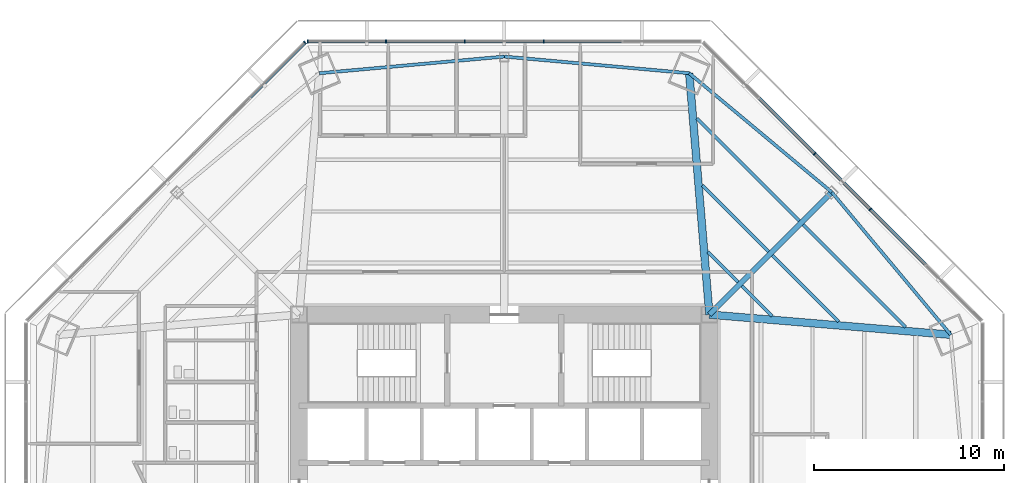
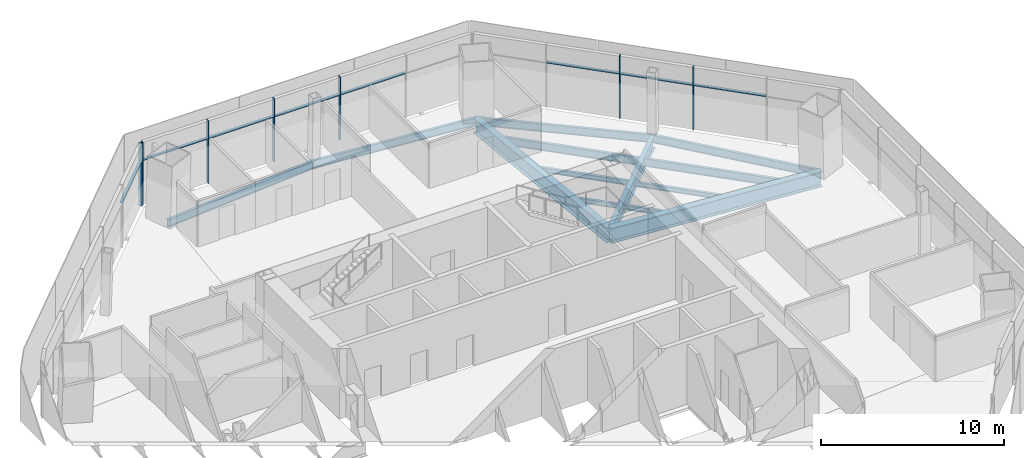
# One storey, part 6 of 16: 15 members, 13 beams, 3 elements without a shape of their own.
"""IFC4 building model written with IfcOpenShell, lengths in metres."""

import ifcopenshell
import ifcopenshell.guid

model = None  # the IFC model being written
_history = None  # IfcOwnerHistory: only IFC2X3 demands one
_inside = {}  # id of a spatial element -> (the spatial element, [elements in it])
_under = {}  # id of a project, library or spatial element -> (it, [spatial elements below it])
_declared = {}  # id of a project -> (the project, [libraries it declares])
_typed = {}  # id of a type object -> (the type object, [elements of that type])
_made_of = {}  # id of a material, layer set ... -> (it, [elements and type objects made of it])


def new_model(schema):
    """Start an empty IFC model of exactly this schema.

    Asked for "IFC4X3", IfcOpenShell would pick the latest addendum, in which some entities
    have other attributes; the version numbers below select the first issue.
    IFC2X3 requires an IfcOwnerHistory on every rooted entity: one is made here for all.
    """
    global model, _history
    if schema == "IFC4X3":
        model = ifcopenshell.file(schema_version=(4, 3, 0, 0))
    else:
        model = ifcopenshell.file(schema=schema)
    _inside.clear()
    _under.clear()
    _declared.clear()
    _typed.clear()
    _made_of.clear()
    _history = None
    if model.schema == "IFC2X3":
        org = make("IfcOrganization", Name="unknown")
        user = make(
            "IfcPersonAndOrganization",
            ThePerson=make("IfcPerson", FamilyName="unknown"),
            TheOrganization=org,
        )
        app = make(
            "IfcApplication",
            ApplicationDeveloper=org,
            Version="unknown",
            ApplicationFullName="unknown",
            ApplicationIdentifier="unknown",
        )
        _history = make(
            "IfcOwnerHistory",
            OwningUser=user,
            OwningApplication=app,
            ChangeAction="ADDED",
            CreationDate=0,
        )
    return model


def make(cls, **values):
    """One entity of the class cls with the attributes given. An attribute that is None is left unset."""
    return model.create_entity(
        cls, **{name: value for name, value in values.items() if value is not None}
    )


def rooted(cls, **values):
    """An entity with a GlobalId (a new one), such as an element, a storey or a relation."""
    return make(cls, GlobalId=ifcopenshell.guid.new(), OwnerHistory=_history, **values)


def si_unit(unit_type, name, prefix=None):
    """IfcSIUnit, for example si_unit("LENGTHUNIT", "METRE", prefix="MILLI")."""
    return make("IfcSIUnit", UnitType=unit_type, Prefix=prefix, Name=name)


def assignment(units):
    """IfcUnitAssignment: the units of a project."""
    return None if units is None else make("IfcUnitAssignment", Units=units)


def point(xyz):
    """IfcCartesianPoint."""
    return None if xyz is None else make("IfcCartesianPoint", Coordinates=xyz)


def direction(xyz):
    """IfcDirection."""
    return None if xyz is None else make("IfcDirection", DirectionRatios=xyz)


def frame(location, z_axis=None, x_axis=None):
    """IfcAxis2Placement3D, a coordinate frame: its origin and axes. An axis left out is left unset."""
    return make(
        "IfcAxis2Placement3D",
        Location=point(location),
        Axis=direction(z_axis),
        RefDirection=direction(x_axis),
    )


def frame_2d(location, x_axis=None):
    """IfcAxis2Placement2D, a coordinate frame in the plane: its origin and x axis."""
    return make(
        "IfcAxis2Placement2D", Location=point(location), RefDirection=direction(x_axis)
    )


def origin():
    """The frame at (0, 0, 0) with its axes left unset."""
    return frame((0.0, 0.0, 0.0))


def origin_2d():
    """The frame at (0, 0) in the plane with its x axis left unset."""
    return frame_2d((0.0, 0.0))


def place(relative_to, where):
    """IfcLocalPlacement: puts the frame where relative to a parent placement (None: the world)."""
    return make(
        "IfcLocalPlacement", PlacementRelTo=relative_to, RelativePlacement=where
    )


def context(
    kind, dimensions, precision=None, world=None, true_north=None, identifier=None
):
    """IfcGeometricRepresentationContext, for example the 3D "Model" context."""
    return make(
        "IfcGeometricRepresentationContext",
        ContextIdentifier=identifier,
        ContextType=kind,
        CoordinateSpaceDimension=dimensions,
        Precision=precision,
        WorldCoordinateSystem=world,
        TrueNorth=true_north,
    )


def subcontext(parent, identifier, kind, view, scale=None):
    """IfcGeometricRepresentationSubContext, for example "Body" below "Model"."""
    return make(
        "IfcGeometricRepresentationSubContext",
        ContextIdentifier=identifier,
        ContextType=kind,
        ParentContext=parent,
        TargetScale=scale,
        TargetView=view,
    )


def project(units=None, contexts=None):
    """IfcProject with its units and contexts."""
    return rooted(
        "IfcProject",
        Name="project",
        RepresentationContexts=contexts,
        UnitsInContext=assignment(units),
    )


def spatial(cls, under=None, at=None, **own):
    """A site, building, storey or space (cls), placed at a placement, below another one or the project."""
    s = rooted(cls, ObjectPlacement=at, **own)
    if under is not None:
        _under.setdefault(under.id(), (under, []))[1].append(s)
    return s


def profile(cls, at=None, kind="AREA", **sizes):
    """A parametric profile (cls). Its sizes go by their IFC names, for example OverallWidth=200.0."""
    return make(cls, ProfileType=kind, Position=at, **sizes)


def rectangle(**sizes):
    """IfcRectangleProfileDef."""
    return profile("IfcRectangleProfileDef", **sizes)


def i_section(**sizes):
    """IfcIShapeProfileDef."""
    return profile("IfcIShapeProfileDef", **sizes)


def extrude(swept, where, along, depth):
    """IfcExtrudedAreaSolid: the profile swept, set in the frame where, extruded along a direction by depth."""
    return make(
        "IfcExtrudedAreaSolid",
        SweptArea=swept,
        Position=where,
        ExtrudedDirection=direction(along),
        Depth=depth,
    )


def shape(context_of_items, identifier, shape_type, items):
    """IfcShapeRepresentation: the items that make up one representation, for example the "Body"."""
    return make(
        "IfcShapeRepresentation",
        ContextOfItems=context_of_items,
        RepresentationIdentifier=identifier,
        RepresentationType=shape_type,
        Items=items,
    )


def source(mapping_origin, context_of_items, identifier, shape_type, items):
    """IfcRepresentationMap: a shape defined once, which mapped items show again and again."""
    return make(
        "IfcRepresentationMap",
        MappingOrigin=mapping_origin,
        MappedRepresentation=shape(context_of_items, identifier, shape_type, items),
    )


def transform(
    local_origin,
    x_axis=None,
    y_axis=None,
    z_axis=None,
    scale=None,
    scale2=None,
    scale3=None,
    uniform=True,
):
    """IfcCartesianTransformationOperator3D, or its non-uniform kind. x_axis, y_axis, z_axis: its Axis1, 2, 3."""
    if uniform:
        return make(
            "IfcCartesianTransformationOperator3D",
            Axis1=direction(x_axis),
            Axis2=direction(y_axis),
            LocalOrigin=point(local_origin),
            Scale=scale,
            Axis3=direction(z_axis),
        )
    return make(
        "IfcCartesianTransformationOperator3DnonUniform",
        Axis1=direction(x_axis),
        Axis2=direction(y_axis),
        LocalOrigin=point(local_origin),
        Scale=scale,
        Axis3=direction(z_axis),
        Scale2=scale2,
        Scale3=scale3,
    )


def mapped(mapping_source, mapping_target):
    """IfcMappedItem: shows the shape of a source again, moved by a transform."""
    return make(
        "IfcMappedItem", MappingSource=mapping_source, MappingTarget=mapping_target
    )


def material(Name=None, Category=None):
    """IfcMaterial."""
    return make("IfcMaterial", Name=Name, Category=Category)


def material_profile(
    of_material, cross_section, Name=None, Category=None, Priority=None
):
    """IfcMaterialProfile: a cross section and its material."""
    return make(
        "IfcMaterialProfile",
        Name=Name,
        Material=of_material,
        Profile=cross_section,
        Priority=Priority,
        Category=Category,
    )


def profile_set(profiles, Name=None, composite=None):
    """IfcMaterialProfileSet."""
    return make(
        "IfcMaterialProfileSet",
        Name=Name,
        MaterialProfiles=profiles,
        CompositeProfile=composite,
    )


def made_of(thing, what):
    """Note that an element or type object is made of a material, layer set ...; save() writes the relation."""
    if what is not None:
        _made_of.setdefault(what.id(), (what, []))[1].append(thing)
    return thing


def type_object(cls, material=None, **own):
    """A type object (cls), such as IfcWallType, which elements share."""
    return made_of(rooted(cls, **own), material)


def type_shapes(of_type, sources):
    """Give a type object the sources (RepresentationMaps) that its elements show as mapped items."""
    of_type.RepresentationMaps = sources


def element(
    cls,
    number,
    at=None,
    inside=None,
    cuts=None,
    type_object=None,
    material=None,
    context=None,
    identifier="Body",
    shape_type=None,
    held_by="IfcProductDefinitionShape",
    body=None,
    shapes=None,
    **own,
):
    """One element of the class cls, such as IfcWall. Its Tag is "e" and its number.

    at: its placement. inside: the storey or other place that contains it. cuts: it is an
    opening in that element (IfcRelVoidsElement). A single representation is given by context,
    identifier, shape_type and body (its items); several are given by shapes. held_by: the class
    of the entity that holds the representations. save() writes the other relations.
    """
    e = rooted(cls, Tag="e%d" % number, ObjectPlacement=at, **own)
    if body is not None:
        shapes = [shape(context, identifier, shape_type, body)]
    if shapes is not None:
        e.Representation = make(held_by, Representations=shapes)
    if inside is not None:
        _inside.setdefault(inside.id(), (inside, []))[1].append(e)
    if cuts is not None:
        rooted(
            "IfcRelVoidsElement", RelatingBuildingElement=cuts, RelatedOpeningElement=e
        )
    if type_object is not None:
        _typed.setdefault(type_object.id(), (type_object, []))[1].append(e)
    return made_of(e, material)


def aggregate(whole, parts):
    """IfcRelAggregates: a whole, such as a stair, and the parts it consists of."""
    return rooted("IfcRelAggregates", RelatingObject=whole, RelatedObjects=parts)


def save(model, path):
    """Write the relations noted so far, then the file.

    IfcRelAggregates (storeys below a building ...), IfcRelContainedInSpatialStructure (elements
    in a storey), IfcRelDefinesByType, IfcRelAssociatesMaterial and IfcRelDeclares: one each for
    every whole, place, type object, material and project.
    """
    for whole, parts in _under.values():
        aggregate(whole, parts)
    for where, things in _inside.values():
        rooted(
            "IfcRelContainedInSpatialStructure",
            RelatedElements=things,
            RelatingStructure=where,
        )
    for kind, things in _typed.values():
        rooted("IfcRelDefinesByType", RelatedObjects=things, RelatingType=kind)
    for what, things in _made_of.values():
        rooted("IfcRelAssociatesMaterial", RelatedObjects=things, RelatingMaterial=what)
    for by, libraries in _declared.values():
        rooted("IfcRelDeclares", RelatingContext=by, RelatedDefinitions=libraries)
    model.write(path)


model = new_model("IFC4")

# Units and contexts
model_context = context("Model", 3, precision=1e-05, world=origin(), true_north=direction((0.0, 1.0)))
body_context = subcontext(model_context, "Body", "Model", "MODEL_VIEW")
ifc_project = project(units=[si_unit("LENGTHUNIT", "METRE"), si_unit("AREAUNIT", "SQUARE_METRE"), si_unit("VOLUMEUNIT", "CUBIC_METRE"), si_unit("PLANEANGLEUNIT", "RADIAN"), si_unit("MASSUNIT", "GRAM", prefix="KILO")], contexts=[model_context])

# Site, building, storey
site_placement = place(None, origin())
site = spatial("IfcSite", under=ifc_project, at=site_placement, CompositionType="ELEMENT")
building_placement = place(site_placement, origin())
building = spatial("IfcBuilding", under=site, at=building_placement, Name="Mashrafa Tower", CompositionType="ELEMENT")
storey_placement = place(building_placement, frame((0.0, 0.0, 100.199951171875)))
storey = spatial("IfcBuildingStorey", under=building, at=storey_placement, Name="L22", CompositionType="ELEMENT", Elevation=100.199951171875)

# Beams
ifc_material_1 = material(Name="Steel ASTM A992", Category="steel")
ifc_material_profile_1 = material_profile(ifc_material_1, i_section(OverallWidth=0.164794921875, OverallDepth=0.309814453125, WebThickness=0.005859375, FlangeThickness=0.009765625, FilletRadius=0.007568359375, at=origin_2d()), Name="W12X26")
ifc_profile_set_1 = profile_set([ifc_material_profile_1], Name="Steel ASTM A992")
beam_type_1 = type_object("IfcBeamType", Name="Beam W12X26", PredefinedType="BEAM", material=ifc_profile_set_1)
beam_1_placement = place(storey_placement, frame((10.431396484375, 17.611328125, -0.31982421875), z_axis=(0.707131536794, -0.707082024713, 0.0), x_axis=(0.707082024713, 0.707131536794, 0.0)))
element("IfcBeam", 1, at=beam_1_placement, inside=storey, type_object=beam_type_1, Name="Floor beam L22 036", PredefinedType="BEAM", context=body_context, shape_type="SweptSolid", body=[
    extrude(i_section(OverallWidth=0.164794921875, OverallDepth=0.309814453125, WebThickness=0.005859375, FlangeThickness=0.009765625, FilletRadius=0.007568359375, at=origin_2d()), origin(), (0.0, 0.0, 1.0), 4.930908203125),
])
for number, where, z_axis, x_axis, name in (
    (2, (10.7255859375, 14.095703125, -0.31982421875), (0.707106781187, -0.707106781187, 0.0), (0.707106781187, 0.707106781187, 0.0), "Floor beam L22 038"),
    (3, (12.513916015625, 12.307373046875, -0.31982421875), (0.707106781187, -0.707106781187, 0.0), (0.707106781187, 0.707106781187, 0.0), "Floor beam L22 041"),
):
    element("IfcBeam", number, at=place(storey_placement, frame(where, z_axis=z_axis, x_axis=x_axis)), inside=storey, type_object=beam_type_1, Name=name, PredefinedType="BEAM", context=body_context, shape_type="SweptSolid", body=[
        extrude(i_section(OverallWidth=0.164794921875, OverallDepth=0.309814453125, WebThickness=0.005859375, FlangeThickness=0.009765625, FilletRadius=0.007568359375, at=origin_2d()), origin(), (0.0, 0.0, 1.0), 2.237060546875),
    ])
beam_2_placement = place(storey_placement, frame((14.124755859375, 13.918212890625, -0.31982421875), z_axis=(0.707082024713, -0.707131536794, 0.0), x_axis=(0.707131536794, 0.707082024713, 0.0)))
element("IfcBeam", 4, at=beam_2_placement, inside=storey, type_object=beam_type_1, Name="Floor beam L22 045", PredefinedType="BEAM", context=body_context, shape_type="SweptSolid", body=[
    extrude(i_section(OverallWidth=0.164794921875, OverallDepth=0.309814453125, WebThickness=0.005859375, FlangeThickness=0.009765625, FilletRadius=0.007568359375, at=origin_2d()), origin(), (0.0, 0.0, 1.0), 4.930908203125),
])
ifc_material_2 = material(Name="Steel ASTM A992", Category="steel")
ifc_material_profile_2 = material_profile(ifc_material_2, i_section(OverallWidth=0.1650390625, OverallDepth=0.52587890625, WebThickness=0.0087890625, FlangeThickness=0.011474609375, FilletRadius=0.0126953125, at=origin_2d()), Name="W21X44")
ifc_profile_set_2 = profile_set([ifc_material_profile_2], Name="Steel ASTM A992")
beam_type_2 = type_object("IfcBeamType", Name="Beam W21X44", PredefinedType="BEAM", material=ifc_profile_set_2)
for number, where, z_axis, x_axis, name in (
    (5, (10.13720703125, 21.126708984375, -0.427734375), (0.707122790849, -0.707090771161, 0.0), (0.707090771161, 0.707122790849, 0.0), "Floor beam L22 034"),
    (6, (15.7353515625, 15.52880859375, -0.427734375), (0.707090771161, -0.707122790849, 0.0), (0.707122790849, 0.707090771161, 0.0), "Floor beam L22 048"),
):
    element("IfcBeam", number, at=place(storey_placement, frame(where, z_axis=z_axis, x_axis=x_axis)), inside=storey, type_object=beam_type_2, Name=name, PredefinedType="BEAM", context=body_context, shape_type="SweptSolid", body=[
        extrude(i_section(OverallWidth=0.1650390625, OverallDepth=0.52587890625, WebThickness=0.0087890625, FlangeThickness=0.011474609375, FilletRadius=0.0126953125, at=origin_2d()), origin(), (0.0, 0.0, 1.0), 7.624755859375),
    ])
ifc_material_3 = material(Name="Steel ASTM A992", Category="steel")
ifc_material_profile_3 = material_profile(ifc_material_3, i_section(OverallWidth=0.165771484375, OverallDepth=0.5283203125, WebThickness=0.009765625, FlangeThickness=0.013671875, FilletRadius=0.012939453125, at=origin_2d()), Name="W21X50")
ifc_profile_set_3 = profile_set([ifc_material_profile_3], Name="Steel ASTM A992")
beam_type_3 = type_object("IfcBeamType", Name="Beam W21X50", PredefinedType="BEAM", material=ifc_profile_set_3)
for number, where, z_axis, x_axis, name in (
    (7, (0.0, 24.385009765625, -0.42919921875), (-0.995955197915, -0.089851231184, 0.0), (0.089851231184, -0.995955197915, 0.0), "Spandrel beam L22 081"),
    (8, (9.73681640625, 23.506591796875, -0.42919921875), (-0.995955197915, 0.089851231184, 0.0), (-0.089851231184, -0.995955197915, 0.0), "Spandrel beam L22 083"),
):
    element("IfcBeam", number, at=place(storey_placement, frame(where, z_axis=z_axis, x_axis=x_axis)), inside=storey, type_object=beam_type_3, Name=name, PredefinedType="BEAM", context=body_context, shape_type="SweptSolid", body=[
        extrude(i_section(OverallWidth=0.165771484375, OverallDepth=0.5283203125, WebThickness=0.009765625, FlangeThickness=0.013671875, FilletRadius=0.012939453125, at=origin_2d()), origin(), (0.0, 0.0, 1.0), 9.7763671875),
    ])
for number, where, z_axis, x_axis, name in (
    (9, (17.24267578125, 17.24267578125, -0.42919921875), (-0.76776666126, 0.640729548138, 0.0), (-0.640729548138, -0.76776666126, 0.0), "Spandrel beam L22 085"),
    (10, (23.506591796875, 9.73681640625, -0.42919921875), (-0.640729548138, 0.76776666126, 0.0), (-0.76776666126, -0.640729548138, 0.0), "Spandrel beam L22 087"),
):
    element("IfcBeam", number, at=place(storey_placement, frame(where, z_axis=z_axis, x_axis=x_axis)), inside=storey, type_object=beam_type_3, Name=name, PredefinedType="BEAM", context=body_context, shape_type="SweptSolid", body=[
        extrude(i_section(OverallWidth=0.165771484375, OverallDepth=0.5283203125, WebThickness=0.009765625, FlangeThickness=0.013671875, FilletRadius=0.012939453125, at=origin_2d()), origin(), (0.0, 0.0, 1.0), 9.776123046875),
    ])
ifc_material_4 = material(Name="Steel ASTM A992", Category="steel")
ifc_material_profile_4 = material_profile(ifc_material_4, i_section(OverallWidth=0.2919921875, OverallDepth=0.845703125, WebThickness=0.015380859375, FlangeThickness=0.0244140625, FilletRadius=0.017333984375, at=origin_2d()), Name="W33X141")
ifc_profile_set_4 = profile_set([ifc_material_profile_4], Name="Steel ASTM A992")
beam_type_4 = type_object("IfcBeamType", Name="Beam W33X141", PredefinedType="BEAM", material=ifc_profile_set_4)
beam_3_placement = place(storey_placement, frame((10.800048828125, 10.800048828125, -0.587890625), z_axis=(0.707106781187, 0.707106781187, 0.0), x_axis=(-0.707106781187, 0.707106781187, 0.0)))
element("IfcBeam", 11, at=beam_3_placement, inside=storey, type_object=beam_type_4, Name="Radial girder L22 071", PredefinedType="BEAM", context=body_context, shape_type="SweptSolid", body=[
    extrude(i_section(OverallWidth=0.2919921875, OverallDepth=0.845703125, WebThickness=0.015380859375, FlangeThickness=0.0244140625, FilletRadius=0.017333984375, at=origin_2d()), origin(), (0.0, 0.0, 1.0), 9.111328125),
])
ifc_material_5 = material(Name="Steel ASTM A992", Category="steel")
ifc_material_profile_5 = material_profile(ifc_material_5, i_section(OverallWidth=0.4013671875, OverallDepth=1.010986328125, WebThickness=0.023681640625, FlangeThickness=0.0419921875, FilletRadius=0.02001953125, at=origin_2d()), Name="W40X297")
ifc_profile_set_5 = profile_set([ifc_material_profile_5], Name="Steel ASTM A992")
beam_type_5 = type_object("IfcBeamType", Name="Beam W40X297", PredefinedType="BEAM", material=ifc_profile_set_5)
for number, where, z_axis, x_axis, name in (
    (12, (10.800048828125, 10.800048828125, -0.67041015625), (-0.083384572528, 0.996517442429, 0.0), (-0.996517442429, -0.083384572528, 0.0), "Radial girder L22 070"),
    (13, (10.800048828125, 10.800048828125, -0.67041015625), (0.996517442429, -0.083384572528, 0.0), (0.083384572528, 0.996517442429, 0.0), "Radial girder L22 072"),
):
    element("IfcBeam", number, at=place(storey_placement, frame(where, z_axis=z_axis, x_axis=x_axis)), inside=storey, type_object=beam_type_5, Name=name, PredefinedType="BEAM", context=body_context, shape_type="SweptSolid", body=[
        extrude(i_section(OverallWidth=0.4013671875, OverallDepth=1.010986328125, WebThickness=0.023681640625, FlangeThickness=0.0419921875, FilletRadius=0.02001953125, at=origin_2d()), origin(), (0.0, 0.0, 1.0), 12.7509765625),
    ])

# Curtain wall, members
ifc_material_6 = material(Name="Unitised aluminium curtain wall", Category="aluminium")
curtain_wall_type = type_object("IfcCurtainWallType", Name="Office curtain wall, zone 1 CW-A 200 deep", PredefinedType="NOTDEFINED", material=ifc_material_6)
curtain_wall_1_placement = place(storey_placement, origin())
curtain_wall_1 = element("IfcCurtainWall", 14, at=curtain_wall_1_placement, inside=storey, type_object=curtain_wall_type, Name="Office curtain wall, zone 1 L22 north-east", PredefinedType="NOTDEFINED")
ifc_material_7 = material(Name="Extruded aluminium mullion", Category="aluminium")
ifc_material_profile_6 = material_profile(ifc_material_7, rectangle(XDim=0.199951171875, YDim=0.06494140625, at=origin_2d()), Name="Mullion 65x200")
ifc_profile_set_6 = profile_set([ifc_material_profile_6], Name="Extruded aluminium mullion")
member_type_1 = type_object("IfcMemberType", Name="Mullion CW-A 65 x 200", PredefinedType="MULLION", material=ifc_profile_set_6)
shared_shape_1 = source(origin(), body_context, "Body", "SweptSolid", [
    extrude(rectangle(XDim=0.199951171875, YDim=0.06494140625, at=origin_2d()), origin(), (0.0, 0.0, 1.0), 4.199951171875),
])
type_shapes(member_type_1, [shared_shape_1])
member_1_placement = place(storey_placement, frame((19.27294921875, 16.33740234375, 0.0), z_axis=(0.0, 0.0, 1.0), x_axis=(-0.707106781187, -0.707106781187, 0.0)))
member_1 = element("IfcMember", 15, at=member_1_placement, type_object=member_type_1, Name="CW-A mullion 3", PredefinedType="MULLION", context=body_context, shape_type="MappedRepresentation", body=[
    mapped(shared_shape_1, transform((0.0, 0.0, 0.0))),
])
member_2_placement = place(storey_placement, frame((16.33740234375, 19.27294921875, 0.0), z_axis=(0.0, 0.0, 1.0), x_axis=(-0.707106781187, -0.707106781187, 0.0)))
member_2 = element("IfcMember", 16, at=member_2_placement, type_object=member_type_1, Name="CW-A mullion 4", PredefinedType="MULLION", context=body_context, shape_type="MappedRepresentation", body=[
    mapped(shared_shape_1, transform((0.0, 0.0, 0.0))),
])

curtain_wall_2_placement = place(storey_placement, origin())
curtain_wall_2 = element("IfcCurtainWall", 17, at=curtain_wall_2_placement, inside=storey, type_object=curtain_wall_type, Name="Office curtain wall, zone 1 L22 north", PredefinedType="NOTDEFINED")
member_3_placement = place(storey_placement, frame((2.07568359375, 25.18017578125, 0.0), z_axis=(0.0, 0.0, 1.0), x_axis=(0.0, -1.0, 0.0)))
member_3 = element("IfcMember", 18, at=member_3_placement, type_object=member_type_1, Name="CW-A mullion 3", PredefinedType="MULLION", context=body_context, shape_type="MappedRepresentation", body=[
    mapped(shared_shape_1, transform((0.0, 0.0, 0.0))),
])
member_4_placement = place(storey_placement, frame((-2.07568359375, 25.18017578125, 0.0), z_axis=(0.0, 0.0, 1.0), x_axis=(0.0, -1.0, 0.0)))
member_4 = element("IfcMember", 19, at=member_4_placement, type_object=member_type_1, Name="CW-A mullion 4", PredefinedType="MULLION", context=body_context, shape_type="MappedRepresentation", body=[
    mapped(shared_shape_1, transform((0.0, 0.0, 0.0))),
])
member_5_placement = place(storey_placement, frame((-6.22705078125, 25.18017578125, 0.0), z_axis=(0.0, 0.0, 1.0), x_axis=(0.0, -1.0, 0.0)))
member_5 = element("IfcMember", 20, at=member_5_placement, type_object=member_type_1, Name="CW-A mullion 5", PredefinedType="MULLION", context=body_context, shape_type="MappedRepresentation", body=[
    mapped(shared_shape_1, transform((0.0, 0.0, 0.0))),
])
member_6_placement = place(storey_placement, frame((-10.345947265625, 25.18017578125, 0.0), z_axis=(0.0, 0.0, 1.0), x_axis=(0.0, -1.0, 0.0)))
member_6 = element("IfcMember", 21, at=member_6_placement, type_object=member_type_1, Name="CW-A mullion 6", PredefinedType="MULLION", context=body_context, shape_type="MappedRepresentation", body=[
    mapped(shared_shape_1, transform((0.0, 0.0, 0.0))),
])

# Curtain wall, member
curtain_wall_3_placement = place(storey_placement, origin())
curtain_wall_3 = element("IfcCurtainWall", 22, at=curtain_wall_3_placement, inside=storey, type_object=curtain_wall_type, Name="Office curtain wall, zone 1 L22 north-west", PredefinedType="NOTDEFINED")
member_7_placement = place(storey_placement, frame((-10.4892578125, 25.120849609375, 0.0), z_axis=(0.0, 0.0, 1.0), x_axis=(0.707106781187, -0.707106781187, 0.0)))
member_7 = element("IfcMember", 23, at=member_7_placement, type_object=member_type_1, Name="CW-A mullion 1", PredefinedType="MULLION", context=body_context, shape_type="MappedRepresentation", body=[
    mapped(shared_shape_1, transform((0.0, 0.0, 0.0))),
])

# Member
ifc_material_8 = material(Name="Extruded aluminium transom", Category="aluminium")
ifc_material_profile_7 = material_profile(ifc_material_8, rectangle(XDim=0.159912109375, YDim=0.080078125, at=origin_2d()), Name="Transom 80x160")
ifc_profile_set_7 = profile_set([ifc_material_profile_7], Name="Extruded aluminium transom")
member_type_2 = type_object("IfcMemberType", Name="Transom CW-A 80 x 160", PredefinedType="MULLION", material=ifc_profile_set_7)
shared_shape_2 = source(origin(), body_context, "Body", "SweptSolid", [
    extrude(rectangle(XDim=0.159912109375, YDim=0.080078125, at=origin_2d()), origin(), (0.0, 0.0, 1.0), 4.053955078125),
])
member_8_placement = place(storey_placement, frame((-6.259521484375, 25.18017578125, 3.0), z_axis=(-1.0, 0.0, 0.0), x_axis=(0.0, -1.0, 0.0)))
member_8 = element("IfcMember", 24, at=member_8_placement, type_object=member_type_2, Name="CW-A transom 5", PredefinedType="MULLION", context=body_context, shape_type="MappedRepresentation", body=[
    mapped(shared_shape_2, transform((0.0, 0.0, 0.0))),
])

shared_shape_3 = source(origin(), body_context, "Body", "SweptSolid", [
    extrude(rectangle(XDim=0.159912109375, YDim=0.080078125, at=origin_2d()), origin(), (0.0, 0.0, 1.0), 4.08642578125),
])
member_9_placement = place(storey_placement, frame((22.185302734375, 13.4248046875, 3.0), z_axis=(-0.707076908274, 0.707136652837, 0.0), x_axis=(-0.707136652837, -0.707076908274, 0.0)))
member_9 = element("IfcMember", 25, at=member_9_placement, type_object=member_type_2, Name="CW-A transom 2", PredefinedType="MULLION", context=body_context, shape_type="MappedRepresentation", body=[
    mapped(shared_shape_3, transform((0.0, 0.0, 0.0))),
])

member_10_placement = place(storey_placement, frame((16.314453125, 19.2958984375, 3.0), z_axis=(-0.707136652837, 0.707076908274, 0.0), x_axis=(-0.707076908274, -0.707136652837, 0.0)))
member_10 = element("IfcMember", 26, at=member_10_placement, type_object=member_type_2, Name="CW-A transom 4", PredefinedType="MULLION", context=body_context, shape_type="MappedRepresentation", body=[
    mapped(shared_shape_3, transform((0.0, 0.0, 0.0))),
])

member_11_placement = place(storey_placement, frame((6.194580078125, 25.18017578125, 3.0), z_axis=(-1.0, 0.0, 0.0), x_axis=(0.0, -1.0, 0.0)))
member_11 = element("IfcMember", 27, at=member_11_placement, type_object=member_type_2, Name="CW-A transom 2", PredefinedType="MULLION", context=body_context, shape_type="MappedRepresentation", body=[
    mapped(shared_shape_3, transform((0.0, 0.0, 0.0))),
])

member_12_placement = place(storey_placement, frame((2.043212890625, 25.18017578125, 3.0), z_axis=(-1.0, 0.0, 0.0), x_axis=(0.0, -1.0, 0.0)))
member_12 = element("IfcMember", 28, at=member_12_placement, type_object=member_type_2, Name="CW-A transom 3", PredefinedType="MULLION", context=body_context, shape_type="MappedRepresentation", body=[
    mapped(shared_shape_3, transform((0.0, 0.0, 0.0))),
])

member_13_placement = place(storey_placement, frame((-2.108154296875, 25.18017578125, 3.0), z_axis=(-1.0, 0.0, 0.0), x_axis=(0.0, -1.0, 0.0)))
member_13 = element("IfcMember", 29, at=member_13_placement, type_object=member_type_2, Name="CW-A transom 4", PredefinedType="MULLION", context=body_context, shape_type="MappedRepresentation", body=[
    mapped(shared_shape_3, transform((0.0, 0.0, 0.0))),
])

aggregate(curtain_wall_2, [member_3, member_4, member_5, member_6, member_11, member_12, member_13, member_8])

shared_shape_4 = source(origin(), body_context, "Body", "SweptSolid", [
    extrude(rectangle(XDim=0.159912109375, YDim=0.080078125, at=origin_2d()), origin(), (0.0, 0.0, 1.0), 4.05419921875),
])
member_14_placement = place(storey_placement, frame((-10.51220703125, 25.097900390625, 3.0), z_axis=(-0.707106781187, -0.707106781187, 0.0), x_axis=(0.707106781187, -0.707106781187, 0.0)))
member_14 = element("IfcMember", 30, at=member_14_placement, type_object=member_type_2, Name="CW-A transom 1", PredefinedType="MULLION", context=body_context, shape_type="MappedRepresentation", body=[
    mapped(shared_shape_4, transform((0.0, 0.0, 0.0))),
])

aggregate(curtain_wall_3, [member_7, member_14])

shared_shape_5 = source(origin(), body_context, "Body", "SweptSolid", [
    extrude(rectangle(XDim=0.159912109375, YDim=0.080078125, at=origin_2d()), origin(), (0.0, 0.0, 1.0), 4.086181640625),
])
type_shapes(member_type_2, [shared_shape_2, shared_shape_3, shared_shape_4, shared_shape_5])
member_15_placement = place(storey_placement, frame((19.249755859375, 16.3603515625, 3.0), z_axis=(-0.707106781187, 0.707106781187, 0.0), x_axis=(-0.707106781187, -0.707106781187, 0.0)))
member_15 = element("IfcMember", 31, at=member_15_placement, type_object=member_type_2, Name="CW-A transom 3", PredefinedType="MULLION", context=body_context, shape_type="MappedRepresentation", body=[
    mapped(shared_shape_5, transform((0.0, 0.0, 0.0))),
])

aggregate(curtain_wall_1, [member_1, member_2, member_9, member_15, member_10])

save(model, "model.ifc")
